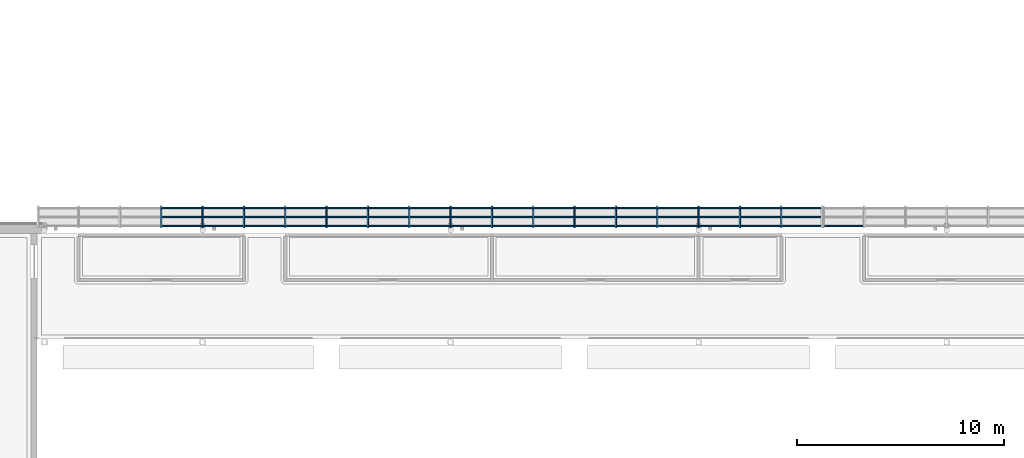
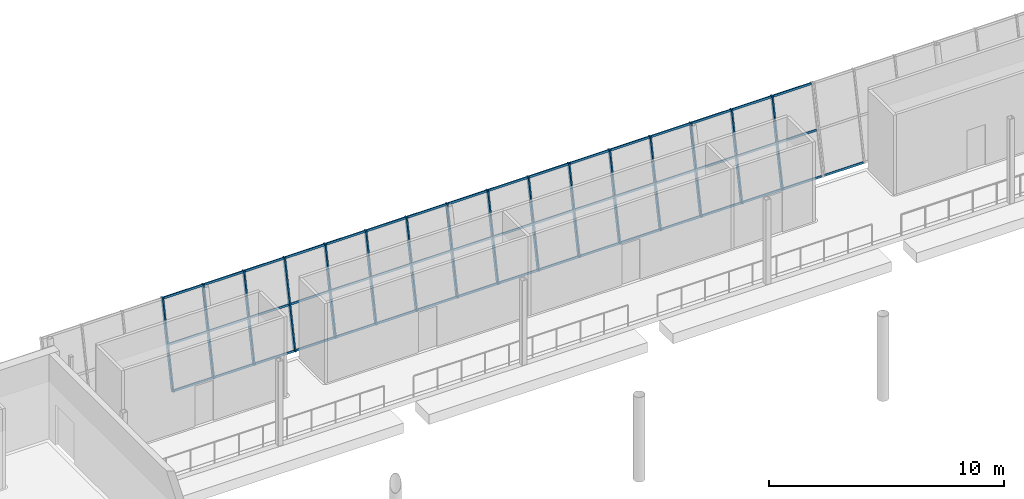
# One storey, part 34 of 115: 65 members, 2 elements without a shape of their own.
"""IFC4 building model written with IfcOpenShell, lengths in metres."""

import ifcopenshell
import ifcopenshell.guid

model = None  # the IFC model being written
_history = None  # IfcOwnerHistory: only IFC2X3 demands one
_inside = {}  # id of a spatial element -> (the spatial element, [elements in it])
_under = {}  # id of a project, library or spatial element -> (it, [spatial elements below it])
_declared = {}  # id of a project -> (the project, [libraries it declares])
_typed = {}  # id of a type object -> (the type object, [elements of that type])
_made_of = {}  # id of a material, layer set ... -> (it, [elements and type objects made of it])


def new_model(schema):
    """Start an empty IFC model of exactly this schema.

    Asked for "IFC4X3", IfcOpenShell would pick the latest addendum, in which some entities
    have other attributes; the version numbers below select the first issue.
    IFC2X3 requires an IfcOwnerHistory on every rooted entity: one is made here for all.
    """
    global model, _history
    if schema == "IFC4X3":
        model = ifcopenshell.file(schema_version=(4, 3, 0, 0))
    else:
        model = ifcopenshell.file(schema=schema)
    _inside.clear()
    _under.clear()
    _declared.clear()
    _typed.clear()
    _made_of.clear()
    _history = None
    if model.schema == "IFC2X3":
        org = make("IfcOrganization", Name="unknown")
        user = make(
            "IfcPersonAndOrganization",
            ThePerson=make("IfcPerson", FamilyName="unknown"),
            TheOrganization=org,
        )
        app = make(
            "IfcApplication",
            ApplicationDeveloper=org,
            Version="unknown",
            ApplicationFullName="unknown",
            ApplicationIdentifier="unknown",
        )
        _history = make(
            "IfcOwnerHistory",
            OwningUser=user,
            OwningApplication=app,
            ChangeAction="ADDED",
            CreationDate=0,
        )
    return model


def make(cls, **values):
    """One entity of the class cls with the attributes given. An attribute that is None is left unset."""
    return model.create_entity(
        cls, **{name: value for name, value in values.items() if value is not None}
    )


def rooted(cls, **values):
    """An entity with a GlobalId (a new one), such as an element, a storey or a relation."""
    return make(cls, GlobalId=ifcopenshell.guid.new(), OwnerHistory=_history, **values)


def si_unit(unit_type, name, prefix=None):
    """IfcSIUnit, for example si_unit("LENGTHUNIT", "METRE", prefix="MILLI")."""
    return make("IfcSIUnit", UnitType=unit_type, Prefix=prefix, Name=name)


def assignment(units):
    """IfcUnitAssignment: the units of a project."""
    return None if units is None else make("IfcUnitAssignment", Units=units)


def point(xyz):
    """IfcCartesianPoint."""
    return None if xyz is None else make("IfcCartesianPoint", Coordinates=xyz)


def direction(xyz):
    """IfcDirection."""
    return None if xyz is None else make("IfcDirection", DirectionRatios=xyz)


def frame(location, z_axis=None, x_axis=None):
    """IfcAxis2Placement3D, a coordinate frame: its origin and axes. An axis left out is left unset."""
    return make(
        "IfcAxis2Placement3D",
        Location=point(location),
        Axis=direction(z_axis),
        RefDirection=direction(x_axis),
    )


def frame_2d(location, x_axis=None):
    """IfcAxis2Placement2D, a coordinate frame in the plane: its origin and x axis."""
    return make(
        "IfcAxis2Placement2D", Location=point(location), RefDirection=direction(x_axis)
    )


def origin():
    """The frame at (0, 0, 0) with its axes left unset."""
    return frame((0.0, 0.0, 0.0))


def origin_2d():
    """The frame at (0, 0) in the plane with its x axis left unset."""
    return frame_2d((0.0, 0.0))


def place(relative_to, where):
    """IfcLocalPlacement: puts the frame where relative to a parent placement (None: the world)."""
    return make(
        "IfcLocalPlacement", PlacementRelTo=relative_to, RelativePlacement=where
    )


def context(
    kind, dimensions, precision=None, world=None, true_north=None, identifier=None
):
    """IfcGeometricRepresentationContext, for example the 3D "Model" context."""
    return make(
        "IfcGeometricRepresentationContext",
        ContextIdentifier=identifier,
        ContextType=kind,
        CoordinateSpaceDimension=dimensions,
        Precision=precision,
        WorldCoordinateSystem=world,
        TrueNorth=true_north,
    )


def subcontext(parent, identifier, kind, view, scale=None):
    """IfcGeometricRepresentationSubContext, for example "Body" below "Model"."""
    return make(
        "IfcGeometricRepresentationSubContext",
        ContextIdentifier=identifier,
        ContextType=kind,
        ParentContext=parent,
        TargetScale=scale,
        TargetView=view,
    )


def project(units=None, contexts=None):
    """IfcProject with its units and contexts."""
    return rooted(
        "IfcProject",
        Name="project",
        RepresentationContexts=contexts,
        UnitsInContext=assignment(units),
    )


def spatial(cls, under=None, at=None, **own):
    """A site, building, storey or space (cls), placed at a placement, below another one or the project."""
    s = rooted(cls, ObjectPlacement=at, **own)
    if under is not None:
        _under.setdefault(under.id(), (under, []))[1].append(s)
    return s


def profile(cls, at=None, kind="AREA", **sizes):
    """A parametric profile (cls). Its sizes go by their IFC names, for example OverallWidth=200.0."""
    return make(cls, ProfileType=kind, Position=at, **sizes)


def rectangle(**sizes):
    """IfcRectangleProfileDef."""
    return profile("IfcRectangleProfileDef", **sizes)


def extrude(swept, where, along, depth):
    """IfcExtrudedAreaSolid: the profile swept, set in the frame where, extruded along a direction by depth."""
    return make(
        "IfcExtrudedAreaSolid",
        SweptArea=swept,
        Position=where,
        ExtrudedDirection=direction(along),
        Depth=depth,
    )


def shape(context_of_items, identifier, shape_type, items):
    """IfcShapeRepresentation: the items that make up one representation, for example the "Body"."""
    return make(
        "IfcShapeRepresentation",
        ContextOfItems=context_of_items,
        RepresentationIdentifier=identifier,
        RepresentationType=shape_type,
        Items=items,
    )


def material(Name=None, Category=None):
    """IfcMaterial."""
    return make("IfcMaterial", Name=Name, Category=Category)


def layer(
    of_material, thickness, ventilated=None, Name=None, Category=None, Priority=None
):
    """IfcMaterialLayer: one layer of a wall or slab, of a material (None: an air gap)."""
    return make(
        "IfcMaterialLayer",
        Material=of_material,
        LayerThickness=thickness,
        IsVentilated=ventilated,
        Name=Name,
        Category=Category,
        Priority=Priority,
    )


def layer_set(layers, Name=None):
    """IfcMaterialLayerSet."""
    return make("IfcMaterialLayerSet", MaterialLayers=layers, LayerSetName=Name)


def material_profile(
    of_material, cross_section, Name=None, Category=None, Priority=None
):
    """IfcMaterialProfile: a cross section and its material."""
    return make(
        "IfcMaterialProfile",
        Name=Name,
        Material=of_material,
        Profile=cross_section,
        Priority=Priority,
        Category=Category,
    )


def profile_set(profiles, Name=None, composite=None):
    """IfcMaterialProfileSet."""
    return make(
        "IfcMaterialProfileSet",
        Name=Name,
        MaterialProfiles=profiles,
        CompositeProfile=composite,
    )


def made_of(thing, what):
    """Note that an element or type object is made of a material, layer set ...; save() writes the relation."""
    if what is not None:
        _made_of.setdefault(what.id(), (what, []))[1].append(thing)
    return thing


def type_object(cls, material=None, **own):
    """A type object (cls), such as IfcWallType, which elements share."""
    return made_of(rooted(cls, **own), material)


def element(
    cls,
    number,
    at=None,
    inside=None,
    cuts=None,
    type_object=None,
    material=None,
    context=None,
    identifier="Body",
    shape_type=None,
    held_by="IfcProductDefinitionShape",
    body=None,
    shapes=None,
    **own,
):
    """One element of the class cls, such as IfcWall. Its Tag is "e" and its number.

    at: its placement. inside: the storey or other place that contains it. cuts: it is an
    opening in that element (IfcRelVoidsElement). A single representation is given by context,
    identifier, shape_type and body (its items); several are given by shapes. held_by: the class
    of the entity that holds the representations. save() writes the other relations.
    """
    e = rooted(cls, Tag="e%d" % number, ObjectPlacement=at, **own)
    if body is not None:
        shapes = [shape(context, identifier, shape_type, body)]
    if shapes is not None:
        e.Representation = make(held_by, Representations=shapes)
    if inside is not None:
        _inside.setdefault(inside.id(), (inside, []))[1].append(e)
    if cuts is not None:
        rooted(
            "IfcRelVoidsElement", RelatingBuildingElement=cuts, RelatedOpeningElement=e
        )
    if type_object is not None:
        _typed.setdefault(type_object.id(), (type_object, []))[1].append(e)
    return made_of(e, material)


def aggregate(whole, parts):
    """IfcRelAggregates: a whole, such as a stair, and the parts it consists of."""
    return rooted("IfcRelAggregates", RelatingObject=whole, RelatedObjects=parts)


def save(model, path):
    """Write the relations noted so far, then the file.

    IfcRelAggregates (storeys below a building ...), IfcRelContainedInSpatialStructure (elements
    in a storey), IfcRelDefinesByType, IfcRelAssociatesMaterial and IfcRelDeclares: one each for
    every whole, place, type object, material and project.
    """
    for whole, parts in _under.values():
        aggregate(whole, parts)
    for where, things in _inside.values():
        rooted(
            "IfcRelContainedInSpatialStructure",
            RelatedElements=things,
            RelatingStructure=where,
        )
    for kind, things in _typed.values():
        rooted("IfcRelDefinesByType", RelatedObjects=things, RelatingType=kind)
    for what, things in _made_of.values():
        rooted("IfcRelAssociatesMaterial", RelatedObjects=things, RelatingMaterial=what)
    for by, libraries in _declared.values():
        rooted("IfcRelDeclares", RelatingContext=by, RelatedDefinitions=libraries)
    model.write(path)


model = new_model("IFC4")

# Units and contexts
model_context = context("Model", 3, precision=1e-05, world=origin(), true_north=direction((0.0, 1.0)))
body_context = subcontext(model_context, "Body", "Model", "MODEL_VIEW")
ifc_project = project(units=[si_unit("LENGTHUNIT", "METRE"), si_unit("AREAUNIT", "SQUARE_METRE"), si_unit("VOLUMEUNIT", "CUBIC_METRE"), si_unit("PLANEANGLEUNIT", "RADIAN"), si_unit("MASSUNIT", "GRAM", prefix="KILO")], contexts=[model_context])

# Site, building, storey
site_placement = place(None, origin())
site = spatial("IfcSite", under=ifc_project, at=site_placement, CompositionType="ELEMENT")
building_placement = place(site_placement, origin())
building = spatial("IfcBuilding", under=site, at=building_placement, Name="Windward Yard Aquatics Centre", CompositionType="ELEMENT")
storey_placement = place(building_placement, frame((0.0, 0.0, 5.0)))
storey = spatial("IfcBuildingStorey", under=building, at=storey_placement, Name="L01", CompositionType="ELEMENT", Elevation=5.0)

# Curtain wall, members
ifc_material_1 = material(Name="Glass and aluminium curtain wall", Category="aluminium")
ifc_layer = layer(ifc_material_1, 0.179931640625)
ifc_layer_set = layer_set([ifc_layer], Name="H curtain wall tier 1 double glazed 8+16+8")
curtain_wall_type = type_object("IfcCurtainWallType", Name="H curtain wall tier 1 double glazed 8+16+8", PredefinedType="NOTDEFINED", material=ifc_layer_set)
curtain_wall_1_placement = place(storey_placement, origin())
curtain_wall_1 = element("IfcCurtainWall", 1, at=curtain_wall_1_placement, inside=storey, type_object=curtain_wall_type, Name="Tier 1 glazing N L01", PredefinedType="NOTDEFINED")
ifc_material_2 = material(Name="Aluminium 6063-T6 anodised", Category="aluminium")
ifc_material_profile_1 = material_profile(ifc_material_2, rectangle(XDim=0.06494140625, YDim=0.179931640625, at=origin_2d()), Name="H CW mullion 65x180")
ifc_profile_set_1 = profile_set([ifc_material_profile_1], Name="Aluminium 6063-T6 anodised")
member_type_1 = type_object("IfcMemberType", Name="H CW mullion 65x180", PredefinedType="MULLION", material=ifc_profile_set_1)
member_1_placement = place(storey_placement, frame((69.999267578125, 95.911865234375, 0.017822265625), z_axis=(0.0, 0.199380237329, 0.979922201485), x_axis=(-1.0, 0.0, 0.0)))
member_1 = element("IfcMember", 2, at=member_1_placement, type_object=member_type_1, Name="G1NA mullion 4", PredefinedType="MULLION", context=body_context, shape_type="SweptSolid", body=[
    extrude(rectangle(XDim=0.06494140625, YDim=0.179931640625, at=origin_2d()), origin(), (0.0, 0.0, 1.0), 4.471923828125),
])
member_2_placement = place(storey_placement, frame((71.9990234375, 95.911865234375, 0.017822265625), z_axis=(0.0, 0.199380237329, 0.979922201485), x_axis=(-1.0, 0.0, 0.0)))
member_2 = element("IfcMember", 3, at=member_2_placement, type_object=member_type_1, Name="G1NA mullion 5", PredefinedType="MULLION", context=body_context, shape_type="SweptSolid", body=[
    extrude(rectangle(XDim=0.06494140625, YDim=0.179931640625, at=origin_2d()), origin(), (0.0, 0.0, 1.0), 4.471923828125),
])
member_3_placement = place(storey_placement, frame((73.998779296875, 95.911865234375, 0.017822265625), z_axis=(0.0, 0.199380237329, 0.979922201485), x_axis=(-1.0, 0.0, 0.0)))
member_3 = element("IfcMember", 4, at=member_3_placement, type_object=member_type_1, Name="G1NA mullion 6", PredefinedType="MULLION", context=body_context, shape_type="SweptSolid", body=[
    extrude(rectangle(XDim=0.06494140625, YDim=0.179931640625, at=origin_2d()), origin(), (0.0, 0.0, 1.0), 4.471923828125),
])
member_4_placement = place(storey_placement, frame((75.99853515625, 95.911865234375, 0.017822265625), z_axis=(0.0, 0.199380237329, 0.979922201485), x_axis=(-1.0, 0.0, 0.0)))
member_4 = element("IfcMember", 5, at=member_4_placement, type_object=member_type_1, Name="G1NA mullion 7", PredefinedType="MULLION", context=body_context, shape_type="SweptSolid", body=[
    extrude(rectangle(XDim=0.06494140625, YDim=0.179931640625, at=origin_2d()), origin(), (0.0, 0.0, 1.0), 4.471923828125),
])
member_5_placement = place(storey_placement, frame((77.998046875, 95.911865234375, 0.017822265625), z_axis=(0.0, 0.199380237329, 0.979922201485), x_axis=(-1.0, 0.0, 0.0)))
member_5 = element("IfcMember", 6, at=member_5_placement, type_object=member_type_1, Name="G1NA mullion 8", PredefinedType="MULLION", context=body_context, shape_type="SweptSolid", body=[
    extrude(rectangle(XDim=0.06494140625, YDim=0.179931640625, at=origin_2d()), origin(), (0.0, 0.0, 1.0), 4.471923828125),
])
member_6_placement = place(storey_placement, frame((79.997802734375, 95.911865234375, 0.017822265625), z_axis=(0.0, 0.199380237329, 0.979922201485), x_axis=(-1.0, 0.0, 0.0)))
member_6 = element("IfcMember", 7, at=member_6_placement, type_object=member_type_1, Name="G1NA mullion 9", PredefinedType="MULLION", context=body_context, shape_type="SweptSolid", body=[
    extrude(rectangle(XDim=0.06494140625, YDim=0.179931640625, at=origin_2d()), origin(), (0.0, 0.0, 1.0), 4.471923828125),
])
member_7_placement = place(storey_placement, frame((81.99755859375, 95.911865234375, 0.017822265625), z_axis=(0.0, 0.199380237329, 0.979922201485), x_axis=(-1.0, 0.0, 0.0)))
member_7 = element("IfcMember", 8, at=member_7_placement, type_object=member_type_1, Name="G1NA mullion 10", PredefinedType="MULLION", context=body_context, shape_type="SweptSolid", body=[
    extrude(rectangle(XDim=0.06494140625, YDim=0.179931640625, at=origin_2d()), origin(), (0.0, 0.0, 1.0), 4.471923828125),
])
member_8_placement = place(storey_placement, frame((83.997314453125, 95.911865234375, 0.017822265625), z_axis=(0.0, 0.199380237329, 0.979922201485), x_axis=(-1.0, 0.0, 0.0)))
member_8 = element("IfcMember", 9, at=member_8_placement, type_object=member_type_1, Name="G1NA mullion 11", PredefinedType="MULLION", context=body_context, shape_type="SweptSolid", body=[
    extrude(rectangle(XDim=0.06494140625, YDim=0.179931640625, at=origin_2d()), origin(), (0.0, 0.0, 1.0), 4.471923828125),
])
member_9_placement = place(storey_placement, frame((85.9970703125, 95.911865234375, 0.017822265625), z_axis=(0.0, 0.199380237329, 0.979922201485), x_axis=(-1.0, 0.0, 0.0)))
member_9 = element("IfcMember", 10, at=member_9_placement, type_object=member_type_1, Name="G1NA mullion 12", PredefinedType="MULLION", context=body_context, shape_type="SweptSolid", body=[
    extrude(rectangle(XDim=0.06494140625, YDim=0.179931640625, at=origin_2d()), origin(), (0.0, 0.0, 1.0), 4.471923828125),
])
member_10_placement = place(storey_placement, frame((87.996826171875, 95.911865234375, 0.017822265625), z_axis=(0.0, 0.199380237329, 0.979922201485), x_axis=(-1.0, 0.0, 0.0)))
member_10 = element("IfcMember", 11, at=member_10_placement, type_object=member_type_1, Name="G1NA mullion 13", PredefinedType="MULLION", context=body_context, shape_type="SweptSolid", body=[
    extrude(rectangle(XDim=0.06494140625, YDim=0.179931640625, at=origin_2d()), origin(), (0.0, 0.0, 1.0), 4.471923828125),
])
member_11_placement = place(storey_placement, frame((89.99658203125, 95.911865234375, 0.017822265625), z_axis=(0.0, 0.199380237329, 0.979922201485), x_axis=(-1.0, 0.0, 0.0)))
member_11 = element("IfcMember", 12, at=member_11_placement, type_object=member_type_1, Name="G1NA mullion 14", PredefinedType="MULLION", context=body_context, shape_type="SweptSolid", body=[
    extrude(rectangle(XDim=0.06494140625, YDim=0.179931640625, at=origin_2d()), origin(), (0.0, 0.0, 1.0), 4.471923828125),
])
member_12_placement = place(storey_placement, frame((91.996337890625, 95.911865234375, 0.017822265625), z_axis=(0.0, 0.199380237329, 0.979922201485), x_axis=(-1.0, 0.0, 0.0)))
member_12 = element("IfcMember", 13, at=member_12_placement, type_object=member_type_1, Name="G1NA mullion 15", PredefinedType="MULLION", context=body_context, shape_type="SweptSolid", body=[
    extrude(rectangle(XDim=0.06494140625, YDim=0.179931640625, at=origin_2d()), origin(), (0.0, 0.0, 1.0), 4.471923828125),
])
member_13_placement = place(storey_placement, frame((93.99609375, 95.911865234375, 0.017822265625), z_axis=(0.0, 0.199380237329, 0.979922201485), x_axis=(-1.0, 0.0, 0.0)))
member_13 = element("IfcMember", 14, at=member_13_placement, type_object=member_type_1, Name="G1NA mullion 16", PredefinedType="MULLION", context=body_context, shape_type="SweptSolid", body=[
    extrude(rectangle(XDim=0.06494140625, YDim=0.179931640625, at=origin_2d()), origin(), (0.0, 0.0, 1.0), 4.471923828125),
])
member_14_placement = place(storey_placement, frame((95.995849609375, 95.911865234375, 0.017822265625), z_axis=(0.0, 0.199380237329, 0.979922201485), x_axis=(-1.0, 0.0, 0.0)))
member_14 = element("IfcMember", 15, at=member_14_placement, type_object=member_type_1, Name="G1NA mullion 17", PredefinedType="MULLION", context=body_context, shape_type="SweptSolid", body=[
    extrude(rectangle(XDim=0.06494140625, YDim=0.179931640625, at=origin_2d()), origin(), (0.0, 0.0, 1.0), 4.471923828125),
])
member_15_placement = place(storey_placement, frame((97.99560546875, 95.911865234375, 0.017822265625), z_axis=(0.0, 0.199380237329, 0.979922201485), x_axis=(-1.0, 0.0, 0.0)))
member_15 = element("IfcMember", 16, at=member_15_placement, type_object=member_type_1, Name="G1NA mullion 18", PredefinedType="MULLION", context=body_context, shape_type="SweptSolid", body=[
    extrude(rectangle(XDim=0.06494140625, YDim=0.179931640625, at=origin_2d()), origin(), (0.0, 0.0, 1.0), 4.471923828125),
])
member_16_placement = place(storey_placement, frame((99.995361328125, 95.911865234375, 0.017822265625), z_axis=(0.0, 0.199380237329, 0.979922201485), x_axis=(-1.0, 0.0, 0.0)))
member_16 = element("IfcMember", 17, at=member_16_placement, type_object=member_type_1, Name="G1NA mullion 19", PredefinedType="MULLION", context=body_context, shape_type="SweptSolid", body=[
    extrude(rectangle(XDim=0.06494140625, YDim=0.179931640625, at=origin_2d()), origin(), (0.0, 0.0, 1.0), 4.471923828125),
])
ifc_material_profile_2 = material_profile(ifc_material_2, rectangle(XDim=0.06494140625, YDim=0.10009765625, at=origin_2d()), Name="H CW transom 65x100")
ifc_profile_set_2 = profile_set([ifc_material_profile_2], Name="Aluminium 6063-T6 anodised")
member_type_2 = type_object("IfcMemberType", Name="H CW transom 65x100", PredefinedType="USERDEFINED", material=ifc_profile_set_2)
member_17_placement = place(storey_placement, frame((70.03173828125, 95.91943359375, 0.055419921875), z_axis=(1.0, 0.0, 0.0), x_axis=(0.0, -0.979924704642, 0.199367934315)))
member_17 = element("IfcMember", 18, at=member_17_placement, type_object=member_type_2, Name="G1NA transom 4.1", ObjectType="TRANSOM", PredefinedType="USERDEFINED", context=body_context, shape_type="SweptSolid", body=[
    extrude(rectangle(XDim=0.06494140625, YDim=0.10009765625, at=origin_2d()), origin(), (0.0, 0.0, 1.0), 1.934814453125),
])
member_18_placement = place(storey_placement, frame((70.03173828125, 96.355712890625, 2.199951171875), z_axis=(1.0, 0.0, 0.0), x_axis=(0.0, -0.979924704642, 0.199367934315)))
member_18 = element("IfcMember", 19, at=member_18_placement, type_object=member_type_2, Name="G1NA transom 4.2", ObjectType="TRANSOM", PredefinedType="USERDEFINED", context=body_context, shape_type="SweptSolid", body=[
    extrude(rectangle(XDim=0.06494140625, YDim=0.10009765625, at=origin_2d()), origin(), (0.0, 0.0, 1.0), 1.934814453125),
])
member_19_placement = place(storey_placement, frame((70.03173828125, 96.79345703125, 4.35107421875), z_axis=(1.0, 0.0, 0.0), x_axis=(0.0, -0.979924704642, 0.199367934315)))
member_19 = element("IfcMember", 20, at=member_19_placement, type_object=member_type_2, Name="G1NA transom 4.3", ObjectType="TRANSOM", PredefinedType="USERDEFINED", context=body_context, shape_type="SweptSolid", body=[
    extrude(rectangle(XDim=0.06494140625, YDim=0.10009765625, at=origin_2d()), origin(), (0.0, 0.0, 1.0), 1.934814453125),
])
member_20_placement = place(storey_placement, frame((72.031494140625, 95.91943359375, 0.055419921875), z_axis=(1.0, 0.0, 0.0), x_axis=(0.0, -0.979924704642, 0.199367934315)))
member_20 = element("IfcMember", 21, at=member_20_placement, type_object=member_type_2, Name="G1NA transom 5.1", ObjectType="TRANSOM", PredefinedType="USERDEFINED", context=body_context, shape_type="SweptSolid", body=[
    extrude(rectangle(XDim=0.06494140625, YDim=0.10009765625, at=origin_2d()), origin(), (0.0, 0.0, 1.0), 1.9345703125),
])
member_21_placement = place(storey_placement, frame((72.031494140625, 96.355712890625, 2.199951171875), z_axis=(1.0, 0.0, 0.0), x_axis=(0.0, -0.979924704642, 0.199367934315)))
member_21 = element("IfcMember", 22, at=member_21_placement, type_object=member_type_2, Name="G1NA transom 5.2", ObjectType="TRANSOM", PredefinedType="USERDEFINED", context=body_context, shape_type="SweptSolid", body=[
    extrude(rectangle(XDim=0.06494140625, YDim=0.10009765625, at=origin_2d()), origin(), (0.0, 0.0, 1.0), 1.9345703125),
])
member_22_placement = place(storey_placement, frame((72.031494140625, 96.79345703125, 4.35107421875), z_axis=(1.0, 0.0, 0.0), x_axis=(0.0, -0.979924704642, 0.199367934315)))
member_22 = element("IfcMember", 23, at=member_22_placement, type_object=member_type_2, Name="G1NA transom 5.3", ObjectType="TRANSOM", PredefinedType="USERDEFINED", context=body_context, shape_type="SweptSolid", body=[
    extrude(rectangle(XDim=0.06494140625, YDim=0.10009765625, at=origin_2d()), origin(), (0.0, 0.0, 1.0), 1.9345703125),
])
member_23_placement = place(storey_placement, frame((74.03125, 95.91943359375, 0.055419921875), z_axis=(1.0, 0.0, 0.0), x_axis=(0.0, -0.979924704642, 0.199367934315)))
member_23 = element("IfcMember", 24, at=member_23_placement, type_object=member_type_2, Name="G1NA transom 6.1", ObjectType="TRANSOM", PredefinedType="USERDEFINED", context=body_context, shape_type="SweptSolid", body=[
    extrude(rectangle(XDim=0.06494140625, YDim=0.10009765625, at=origin_2d()), origin(), (0.0, 0.0, 1.0), 1.9345703125),
])
member_24_placement = place(storey_placement, frame((74.03125, 96.355712890625, 2.199951171875), z_axis=(1.0, 0.0, 0.0), x_axis=(0.0, -0.979924704642, 0.199367934315)))
member_24 = element("IfcMember", 25, at=member_24_placement, type_object=member_type_2, Name="G1NA transom 6.2", ObjectType="TRANSOM", PredefinedType="USERDEFINED", context=body_context, shape_type="SweptSolid", body=[
    extrude(rectangle(XDim=0.06494140625, YDim=0.10009765625, at=origin_2d()), origin(), (0.0, 0.0, 1.0), 1.9345703125),
])
member_25_placement = place(storey_placement, frame((74.03125, 96.79345703125, 4.35107421875), z_axis=(1.0, 0.0, 0.0), x_axis=(0.0, -0.979924704642, 0.199367934315)))
member_25 = element("IfcMember", 26, at=member_25_placement, type_object=member_type_2, Name="G1NA transom 6.3", ObjectType="TRANSOM", PredefinedType="USERDEFINED", context=body_context, shape_type="SweptSolid", body=[
    extrude(rectangle(XDim=0.06494140625, YDim=0.10009765625, at=origin_2d()), origin(), (0.0, 0.0, 1.0), 1.9345703125),
])
member_26_placement = place(storey_placement, frame((76.031005859375, 95.91943359375, 0.055419921875), z_axis=(1.0, 0.0, 0.0), x_axis=(0.0, -0.979924704642, 0.199367934315)))
member_26 = element("IfcMember", 27, at=member_26_placement, type_object=member_type_2, Name="G1NA transom 7.1", ObjectType="TRANSOM", PredefinedType="USERDEFINED", context=body_context, shape_type="SweptSolid", body=[
    extrude(rectangle(XDim=0.06494140625, YDim=0.10009765625, at=origin_2d()), origin(), (0.0, 0.0, 1.0), 1.9345703125),
])
member_27_placement = place(storey_placement, frame((76.031005859375, 96.355712890625, 2.199951171875), z_axis=(1.0, 0.0, 0.0), x_axis=(0.0, -0.979924704642, 0.199367934315)))
member_27 = element("IfcMember", 28, at=member_27_placement, type_object=member_type_2, Name="G1NA transom 7.2", ObjectType="TRANSOM", PredefinedType="USERDEFINED", context=body_context, shape_type="SweptSolid", body=[
    extrude(rectangle(XDim=0.06494140625, YDim=0.10009765625, at=origin_2d()), origin(), (0.0, 0.0, 1.0), 1.9345703125),
])
member_28_placement = place(storey_placement, frame((76.031005859375, 96.79345703125, 4.35107421875), z_axis=(1.0, 0.0, 0.0), x_axis=(0.0, -0.979924704642, 0.199367934315)))
member_28 = element("IfcMember", 29, at=member_28_placement, type_object=member_type_2, Name="G1NA transom 7.3", ObjectType="TRANSOM", PredefinedType="USERDEFINED", context=body_context, shape_type="SweptSolid", body=[
    extrude(rectangle(XDim=0.06494140625, YDim=0.10009765625, at=origin_2d()), origin(), (0.0, 0.0, 1.0), 1.9345703125),
])
member_29_placement = place(storey_placement, frame((78.03076171875, 95.91943359375, 0.055419921875), z_axis=(1.0, 0.0, 0.0), x_axis=(0.0, -0.979924704642, 0.199367934315)))
member_29 = element("IfcMember", 30, at=member_29_placement, type_object=member_type_2, Name="G1NA transom 8.1", ObjectType="TRANSOM", PredefinedType="USERDEFINED", context=body_context, shape_type="SweptSolid", body=[
    extrude(rectangle(XDim=0.06494140625, YDim=0.10009765625, at=origin_2d()), origin(), (0.0, 0.0, 1.0), 1.9345703125),
])
member_30_placement = place(storey_placement, frame((78.03076171875, 96.355712890625, 2.199951171875), z_axis=(1.0, 0.0, 0.0), x_axis=(0.0, -0.979924704642, 0.199367934315)))
member_30 = element("IfcMember", 31, at=member_30_placement, type_object=member_type_2, Name="G1NA transom 8.2", ObjectType="TRANSOM", PredefinedType="USERDEFINED", context=body_context, shape_type="SweptSolid", body=[
    extrude(rectangle(XDim=0.06494140625, YDim=0.10009765625, at=origin_2d()), origin(), (0.0, 0.0, 1.0), 1.9345703125),
])
member_31_placement = place(storey_placement, frame((78.03076171875, 96.79345703125, 4.35107421875), z_axis=(1.0, 0.0, 0.0), x_axis=(0.0, -0.979924704642, 0.199367934315)))
member_31 = element("IfcMember", 32, at=member_31_placement, type_object=member_type_2, Name="G1NA transom 8.3", ObjectType="TRANSOM", PredefinedType="USERDEFINED", context=body_context, shape_type="SweptSolid", body=[
    extrude(rectangle(XDim=0.06494140625, YDim=0.10009765625, at=origin_2d()), origin(), (0.0, 0.0, 1.0), 1.9345703125),
])
member_32_placement = place(storey_placement, frame((80.0302734375, 95.91943359375, 0.055419921875), z_axis=(1.0, 0.0, 0.0), x_axis=(0.0, -0.979924704642, 0.199367934315)))
member_32 = element("IfcMember", 33, at=member_32_placement, type_object=member_type_2, Name="G1NA transom 9.1", ObjectType="TRANSOM", PredefinedType="USERDEFINED", context=body_context, shape_type="SweptSolid", body=[
    extrude(rectangle(XDim=0.06494140625, YDim=0.10009765625, at=origin_2d()), origin(), (0.0, 0.0, 1.0), 1.934814453125),
])
member_33_placement = place(storey_placement, frame((80.0302734375, 96.355712890625, 2.199951171875), z_axis=(1.0, 0.0, 0.0), x_axis=(0.0, -0.979924704642, 0.199367934315)))
member_33 = element("IfcMember", 34, at=member_33_placement, type_object=member_type_2, Name="G1NA transom 9.2", ObjectType="TRANSOM", PredefinedType="USERDEFINED", context=body_context, shape_type="SweptSolid", body=[
    extrude(rectangle(XDim=0.06494140625, YDim=0.10009765625, at=origin_2d()), origin(), (0.0, 0.0, 1.0), 1.934814453125),
])
member_34_placement = place(storey_placement, frame((80.0302734375, 96.79345703125, 4.35107421875), z_axis=(1.0, 0.0, 0.0), x_axis=(0.0, -0.979924704642, 0.199367934315)))
member_34 = element("IfcMember", 35, at=member_34_placement, type_object=member_type_2, Name="G1NA transom 9.3", ObjectType="TRANSOM", PredefinedType="USERDEFINED", context=body_context, shape_type="SweptSolid", body=[
    extrude(rectangle(XDim=0.06494140625, YDim=0.10009765625, at=origin_2d()), origin(), (0.0, 0.0, 1.0), 1.934814453125),
])
member_35_placement = place(storey_placement, frame((82.030029296875, 95.91943359375, 0.055419921875), z_axis=(1.0, 0.0, 0.0), x_axis=(0.0, -0.979924704642, 0.199367934315)))
member_35 = element("IfcMember", 36, at=member_35_placement, type_object=member_type_2, Name="G1NA transom 10.1", ObjectType="TRANSOM", PredefinedType="USERDEFINED", context=body_context, shape_type="SweptSolid", body=[
    extrude(rectangle(XDim=0.06494140625, YDim=0.10009765625, at=origin_2d()), origin(), (0.0, 0.0, 1.0), 1.934814453125),
])
member_36_placement = place(storey_placement, frame((82.030029296875, 96.355712890625, 2.199951171875), z_axis=(1.0, 0.0, 0.0), x_axis=(0.0, -0.979924704642, 0.199367934315)))
member_36 = element("IfcMember", 37, at=member_36_placement, type_object=member_type_2, Name="G1NA transom 10.2", ObjectType="TRANSOM", PredefinedType="USERDEFINED", context=body_context, shape_type="SweptSolid", body=[
    extrude(rectangle(XDim=0.06494140625, YDim=0.10009765625, at=origin_2d()), origin(), (0.0, 0.0, 1.0), 1.934814453125),
])
member_37_placement = place(storey_placement, frame((82.030029296875, 96.79345703125, 4.35107421875), z_axis=(1.0, 0.0, 0.0), x_axis=(0.0, -0.979924704642, 0.199367934315)))
member_37 = element("IfcMember", 38, at=member_37_placement, type_object=member_type_2, Name="G1NA transom 10.3", ObjectType="TRANSOM", PredefinedType="USERDEFINED", context=body_context, shape_type="SweptSolid", body=[
    extrude(rectangle(XDim=0.06494140625, YDim=0.10009765625, at=origin_2d()), origin(), (0.0, 0.0, 1.0), 1.934814453125),
])
member_38_placement = place(storey_placement, frame((84.02978515625, 95.91943359375, 0.055419921875), z_axis=(1.0, 0.0, 0.0), x_axis=(0.0, -0.979924704642, 0.199367934315)))
member_38 = element("IfcMember", 39, at=member_38_placement, type_object=member_type_2, Name="G1NA transom 11.1", ObjectType="TRANSOM", PredefinedType="USERDEFINED", context=body_context, shape_type="SweptSolid", body=[
    extrude(rectangle(XDim=0.06494140625, YDim=0.10009765625, at=origin_2d()), origin(), (0.0, 0.0, 1.0), 1.934814453125),
])
member_39_placement = place(storey_placement, frame((84.02978515625, 96.355712890625, 2.199951171875), z_axis=(1.0, 0.0, 0.0), x_axis=(0.0, -0.979924704642, 0.199367934315)))
member_39 = element("IfcMember", 40, at=member_39_placement, type_object=member_type_2, Name="G1NA transom 11.2", ObjectType="TRANSOM", PredefinedType="USERDEFINED", context=body_context, shape_type="SweptSolid", body=[
    extrude(rectangle(XDim=0.06494140625, YDim=0.10009765625, at=origin_2d()), origin(), (0.0, 0.0, 1.0), 1.934814453125),
])
member_40_placement = place(storey_placement, frame((84.02978515625, 96.79345703125, 4.35107421875), z_axis=(1.0, 0.0, 0.0), x_axis=(0.0, -0.979924704642, 0.199367934315)))
member_40 = element("IfcMember", 41, at=member_40_placement, type_object=member_type_2, Name="G1NA transom 11.3", ObjectType="TRANSOM", PredefinedType="USERDEFINED", context=body_context, shape_type="SweptSolid", body=[
    extrude(rectangle(XDim=0.06494140625, YDim=0.10009765625, at=origin_2d()), origin(), (0.0, 0.0, 1.0), 1.934814453125),
])
member_41_placement = place(storey_placement, frame((86.029541015625, 95.91943359375, 0.055419921875), z_axis=(1.0, 0.0, 0.0), x_axis=(0.0, -0.979924704642, 0.199367934315)))
member_41 = element("IfcMember", 42, at=member_41_placement, type_object=member_type_2, Name="G1NA transom 12.1", ObjectType="TRANSOM", PredefinedType="USERDEFINED", context=body_context, shape_type="SweptSolid", body=[
    extrude(rectangle(XDim=0.06494140625, YDim=0.10009765625, at=origin_2d()), origin(), (0.0, 0.0, 1.0), 1.934814453125),
])
member_42_placement = place(storey_placement, frame((86.029541015625, 96.355712890625, 2.199951171875), z_axis=(1.0, 0.0, 0.0), x_axis=(0.0, -0.979924704642, 0.199367934315)))
member_42 = element("IfcMember", 43, at=member_42_placement, type_object=member_type_2, Name="G1NA transom 12.2", ObjectType="TRANSOM", PredefinedType="USERDEFINED", context=body_context, shape_type="SweptSolid", body=[
    extrude(rectangle(XDim=0.06494140625, YDim=0.10009765625, at=origin_2d()), origin(), (0.0, 0.0, 1.0), 1.934814453125),
])
member_43_placement = place(storey_placement, frame((86.029541015625, 96.79345703125, 4.35107421875), z_axis=(1.0, 0.0, 0.0), x_axis=(0.0, -0.979924704642, 0.199367934315)))
member_43 = element("IfcMember", 44, at=member_43_placement, type_object=member_type_2, Name="G1NA transom 12.3", ObjectType="TRANSOM", PredefinedType="USERDEFINED", context=body_context, shape_type="SweptSolid", body=[
    extrude(rectangle(XDim=0.06494140625, YDim=0.10009765625, at=origin_2d()), origin(), (0.0, 0.0, 1.0), 1.934814453125),
])
member_44_placement = place(storey_placement, frame((88.029296875, 95.91943359375, 0.055419921875), z_axis=(1.0, 0.0, 0.0), x_axis=(0.0, -0.979924704642, 0.199367934315)))
member_44 = element("IfcMember", 45, at=member_44_placement, type_object=member_type_2, Name="G1NA transom 13.1", ObjectType="TRANSOM", PredefinedType="USERDEFINED", context=body_context, shape_type="SweptSolid", body=[
    extrude(rectangle(XDim=0.06494140625, YDim=0.10009765625, at=origin_2d()), origin(), (0.0, 0.0, 1.0), 1.934814453125),
])
member_45_placement = place(storey_placement, frame((88.029296875, 96.355712890625, 2.199951171875), z_axis=(1.0, 0.0, 0.0), x_axis=(0.0, -0.979924704642, 0.199367934315)))
member_45 = element("IfcMember", 46, at=member_45_placement, type_object=member_type_2, Name="G1NA transom 13.2", ObjectType="TRANSOM", PredefinedType="USERDEFINED", context=body_context, shape_type="SweptSolid", body=[
    extrude(rectangle(XDim=0.06494140625, YDim=0.10009765625, at=origin_2d()), origin(), (0.0, 0.0, 1.0), 1.934814453125),
])
member_46_placement = place(storey_placement, frame((88.029296875, 96.79345703125, 4.35107421875), z_axis=(1.0, 0.0, 0.0), x_axis=(0.0, -0.979924704642, 0.199367934315)))
member_46 = element("IfcMember", 47, at=member_46_placement, type_object=member_type_2, Name="G1NA transom 13.3", ObjectType="TRANSOM", PredefinedType="USERDEFINED", context=body_context, shape_type="SweptSolid", body=[
    extrude(rectangle(XDim=0.06494140625, YDim=0.10009765625, at=origin_2d()), origin(), (0.0, 0.0, 1.0), 1.934814453125),
])
member_47_placement = place(storey_placement, frame((90.029052734375, 95.91943359375, 0.055419921875), z_axis=(1.0, 0.0, 0.0), x_axis=(0.0, -0.979924704642, 0.199367934315)))
member_47 = element("IfcMember", 48, at=member_47_placement, type_object=member_type_2, Name="G1NA transom 14.1", ObjectType="TRANSOM", PredefinedType="USERDEFINED", context=body_context, shape_type="SweptSolid", body=[
    extrude(rectangle(XDim=0.06494140625, YDim=0.10009765625, at=origin_2d()), origin(), (0.0, 0.0, 1.0), 1.934814453125),
])
member_48_placement = place(storey_placement, frame((90.029052734375, 96.355712890625, 2.199951171875), z_axis=(1.0, 0.0, 0.0), x_axis=(0.0, -0.979924704642, 0.199367934315)))
member_48 = element("IfcMember", 49, at=member_48_placement, type_object=member_type_2, Name="G1NA transom 14.2", ObjectType="TRANSOM", PredefinedType="USERDEFINED", context=body_context, shape_type="SweptSolid", body=[
    extrude(rectangle(XDim=0.06494140625, YDim=0.10009765625, at=origin_2d()), origin(), (0.0, 0.0, 1.0), 1.934814453125),
])
member_49_placement = place(storey_placement, frame((90.029052734375, 96.79345703125, 4.35107421875), z_axis=(1.0, 0.0, 0.0), x_axis=(0.0, -0.979924704642, 0.199367934315)))
member_49 = element("IfcMember", 50, at=member_49_placement, type_object=member_type_2, Name="G1NA transom 14.3", ObjectType="TRANSOM", PredefinedType="USERDEFINED", context=body_context, shape_type="SweptSolid", body=[
    extrude(rectangle(XDim=0.06494140625, YDim=0.10009765625, at=origin_2d()), origin(), (0.0, 0.0, 1.0), 1.934814453125),
])
member_50_placement = place(storey_placement, frame((92.02880859375, 95.91943359375, 0.055419921875), z_axis=(1.0, 0.0, 0.0), x_axis=(0.0, -0.979924704642, 0.199367934315)))
member_50 = element("IfcMember", 51, at=member_50_placement, type_object=member_type_2, Name="G1NA transom 15.1", ObjectType="TRANSOM", PredefinedType="USERDEFINED", context=body_context, shape_type="SweptSolid", body=[
    extrude(rectangle(XDim=0.06494140625, YDim=0.10009765625, at=origin_2d()), origin(), (0.0, 0.0, 1.0), 1.934814453125),
])
member_51_placement = place(storey_placement, frame((92.02880859375, 96.355712890625, 2.199951171875), z_axis=(1.0, 0.0, 0.0), x_axis=(0.0, -0.979924704642, 0.199367934315)))
member_51 = element("IfcMember", 52, at=member_51_placement, type_object=member_type_2, Name="G1NA transom 15.2", ObjectType="TRANSOM", PredefinedType="USERDEFINED", context=body_context, shape_type="SweptSolid", body=[
    extrude(rectangle(XDim=0.06494140625, YDim=0.10009765625, at=origin_2d()), origin(), (0.0, 0.0, 1.0), 1.934814453125),
])
member_52_placement = place(storey_placement, frame((92.02880859375, 96.79345703125, 4.35107421875), z_axis=(1.0, 0.0, 0.0), x_axis=(0.0, -0.979924704642, 0.199367934315)))
member_52 = element("IfcMember", 53, at=member_52_placement, type_object=member_type_2, Name="G1NA transom 15.3", ObjectType="TRANSOM", PredefinedType="USERDEFINED", context=body_context, shape_type="SweptSolid", body=[
    extrude(rectangle(XDim=0.06494140625, YDim=0.10009765625, at=origin_2d()), origin(), (0.0, 0.0, 1.0), 1.934814453125),
])
member_53_placement = place(storey_placement, frame((94.028564453125, 95.91943359375, 0.055419921875), z_axis=(1.0, 0.0, 0.0), x_axis=(0.0, -0.979924704642, 0.199367934315)))
member_53 = element("IfcMember", 54, at=member_53_placement, type_object=member_type_2, Name="G1NA transom 16.1", ObjectType="TRANSOM", PredefinedType="USERDEFINED", context=body_context, shape_type="SweptSolid", body=[
    extrude(rectangle(XDim=0.06494140625, YDim=0.10009765625, at=origin_2d()), origin(), (0.0, 0.0, 1.0), 1.934814453125),
])
member_54_placement = place(storey_placement, frame((94.028564453125, 96.355712890625, 2.199951171875), z_axis=(1.0, 0.0, 0.0), x_axis=(0.0, -0.979924704642, 0.199367934315)))
member_54 = element("IfcMember", 55, at=member_54_placement, type_object=member_type_2, Name="G1NA transom 16.2", ObjectType="TRANSOM", PredefinedType="USERDEFINED", context=body_context, shape_type="SweptSolid", body=[
    extrude(rectangle(XDim=0.06494140625, YDim=0.10009765625, at=origin_2d()), origin(), (0.0, 0.0, 1.0), 1.934814453125),
])
member_55_placement = place(storey_placement, frame((94.028564453125, 96.79345703125, 4.35107421875), z_axis=(1.0, 0.0, 0.0), x_axis=(0.0, -0.979924704642, 0.199367934315)))
member_55 = element("IfcMember", 56, at=member_55_placement, type_object=member_type_2, Name="G1NA transom 16.3", ObjectType="TRANSOM", PredefinedType="USERDEFINED", context=body_context, shape_type="SweptSolid", body=[
    extrude(rectangle(XDim=0.06494140625, YDim=0.10009765625, at=origin_2d()), origin(), (0.0, 0.0, 1.0), 1.934814453125),
])
member_56_placement = place(storey_placement, frame((96.0283203125, 95.91943359375, 0.055419921875), z_axis=(1.0, 0.0, 0.0), x_axis=(0.0, -0.979924704642, 0.199367934315)))
member_56 = element("IfcMember", 57, at=member_56_placement, type_object=member_type_2, Name="G1NA transom 17.1", ObjectType="TRANSOM", PredefinedType="USERDEFINED", context=body_context, shape_type="SweptSolid", body=[
    extrude(rectangle(XDim=0.06494140625, YDim=0.10009765625, at=origin_2d()), origin(), (0.0, 0.0, 1.0), 1.934814453125),
])
member_57_placement = place(storey_placement, frame((96.0283203125, 96.355712890625, 2.199951171875), z_axis=(1.0, 0.0, 0.0), x_axis=(0.0, -0.979924704642, 0.199367934315)))
member_57 = element("IfcMember", 58, at=member_57_placement, type_object=member_type_2, Name="G1NA transom 17.2", ObjectType="TRANSOM", PredefinedType="USERDEFINED", context=body_context, shape_type="SweptSolid", body=[
    extrude(rectangle(XDim=0.06494140625, YDim=0.10009765625, at=origin_2d()), origin(), (0.0, 0.0, 1.0), 1.934814453125),
])
member_58_placement = place(storey_placement, frame((96.0283203125, 96.79345703125, 4.35107421875), z_axis=(1.0, 0.0, 0.0), x_axis=(0.0, -0.979924704642, 0.199367934315)))
member_58 = element("IfcMember", 59, at=member_58_placement, type_object=member_type_2, Name="G1NA transom 17.3", ObjectType="TRANSOM", PredefinedType="USERDEFINED", context=body_context, shape_type="SweptSolid", body=[
    extrude(rectangle(XDim=0.06494140625, YDim=0.10009765625, at=origin_2d()), origin(), (0.0, 0.0, 1.0), 1.934814453125),
])
member_59_placement = place(storey_placement, frame((98.028076171875, 95.91943359375, 0.055419921875), z_axis=(1.0, 0.0, 0.0), x_axis=(0.0, -0.979924704642, 0.199367934315)))
member_59 = element("IfcMember", 60, at=member_59_placement, type_object=member_type_2, Name="G1NA transom 18.1", ObjectType="TRANSOM", PredefinedType="USERDEFINED", context=body_context, shape_type="SweptSolid", body=[
    extrude(rectangle(XDim=0.06494140625, YDim=0.10009765625, at=origin_2d()), origin(), (0.0, 0.0, 1.0), 1.9345703125),
])
member_60_placement = place(storey_placement, frame((98.028076171875, 96.355712890625, 2.199951171875), z_axis=(1.0, 0.0, 0.0), x_axis=(0.0, -0.979924704642, 0.199367934315)))
member_60 = element("IfcMember", 61, at=member_60_placement, type_object=member_type_2, Name="G1NA transom 18.2", ObjectType="TRANSOM", PredefinedType="USERDEFINED", context=body_context, shape_type="SweptSolid", body=[
    extrude(rectangle(XDim=0.06494140625, YDim=0.10009765625, at=origin_2d()), origin(), (0.0, 0.0, 1.0), 1.9345703125),
])
member_61_placement = place(storey_placement, frame((98.028076171875, 96.79345703125, 4.35107421875), z_axis=(1.0, 0.0, 0.0), x_axis=(0.0, -0.979924704642, 0.199367934315)))
member_61 = element("IfcMember", 62, at=member_61_placement, type_object=member_type_2, Name="G1NA transom 18.3", ObjectType="TRANSOM", PredefinedType="USERDEFINED", context=body_context, shape_type="SweptSolid", body=[
    extrude(rectangle(XDim=0.06494140625, YDim=0.10009765625, at=origin_2d()), origin(), (0.0, 0.0, 1.0), 1.9345703125),
])
member_62_placement = place(storey_placement, frame((100.02783203125, 95.91943359375, 0.055419921875), z_axis=(1.0, 0.0, 0.0), x_axis=(0.0, -0.979924704642, 0.199367934315)))
member_62 = element("IfcMember", 63, at=member_62_placement, type_object=member_type_2, Name="G1NA transom 19.1", ObjectType="TRANSOM", PredefinedType="USERDEFINED", context=body_context, shape_type="SweptSolid", body=[
    extrude(rectangle(XDim=0.06494140625, YDim=0.10009765625, at=origin_2d()), origin(), (0.0, 0.0, 1.0), 1.902099609375),
])
member_63_placement = place(storey_placement, frame((100.02783203125, 96.355712890625, 2.199951171875), z_axis=(1.0, 0.0, 0.0), x_axis=(0.0, -0.979924704642, 0.199367934315)))
member_63 = element("IfcMember", 64, at=member_63_placement, type_object=member_type_2, Name="G1NA transom 19.2", ObjectType="TRANSOM", PredefinedType="USERDEFINED", context=body_context, shape_type="SweptSolid", body=[
    extrude(rectangle(XDim=0.06494140625, YDim=0.10009765625, at=origin_2d()), origin(), (0.0, 0.0, 1.0), 1.902099609375),
])
member_64_placement = place(storey_placement, frame((100.02783203125, 96.79345703125, 4.35107421875), z_axis=(1.0, 0.0, 0.0), x_axis=(0.0, -0.979924704642, 0.199367934315)))
member_64 = element("IfcMember", 65, at=member_64_placement, type_object=member_type_2, Name="G1NA transom 19.3", ObjectType="TRANSOM", PredefinedType="USERDEFINED", context=body_context, shape_type="SweptSolid", body=[
    extrude(rectangle(XDim=0.06494140625, YDim=0.10009765625, at=origin_2d()), origin(), (0.0, 0.0, 1.0), 1.902099609375),
])
aggregate(curtain_wall_1, [member_1, member_2, member_3, member_4, member_5, member_6, member_7, member_8, member_9, member_10, member_11, member_12, member_13, member_14, member_15, member_16, member_17, member_18, member_19, member_20, member_21, member_22, member_23, member_24, member_25, member_26, member_27, member_28, member_29, member_30, member_31, member_32, member_33, member_34, member_35, member_36, member_37, member_38, member_39, member_40, member_41, member_42, member_43, member_44, member_45, member_46, member_47, member_48, member_49, member_50, member_51, member_52, member_53, member_54, member_55, member_56, member_57, member_58, member_59, member_60, member_61, member_62, member_63, member_64])

# Curtain wall, member
curtain_wall_2_placement = place(storey_placement, origin())
curtain_wall_2 = element("IfcCurtainWall", 66, at=curtain_wall_2_placement, inside=storey, type_object=curtain_wall_type, Name="Tier 1 glazing N L01", PredefinedType="NOTDEFINED")
member_65_placement = place(storey_placement, frame((102.070068359375, 95.91943359375, 0.055419921875), z_axis=(1.0, 0.0, 0.0), x_axis=(0.0, -0.979924704642, 0.199367934315)))
member_65 = element("IfcMember", 67, at=member_65_placement, type_object=member_type_2, Name="G1NB transom 1.1", ObjectType="TRANSOM", PredefinedType="USERDEFINED", context=body_context, shape_type="SweptSolid", body=[
    extrude(rectangle(XDim=0.06494140625, YDim=0.10009765625, at=origin_2d()), origin(), (0.0, 0.0, 1.0), 1.902099609375),
])
aggregate(curtain_wall_2, [member_65])

save(model, "model.ifc")
